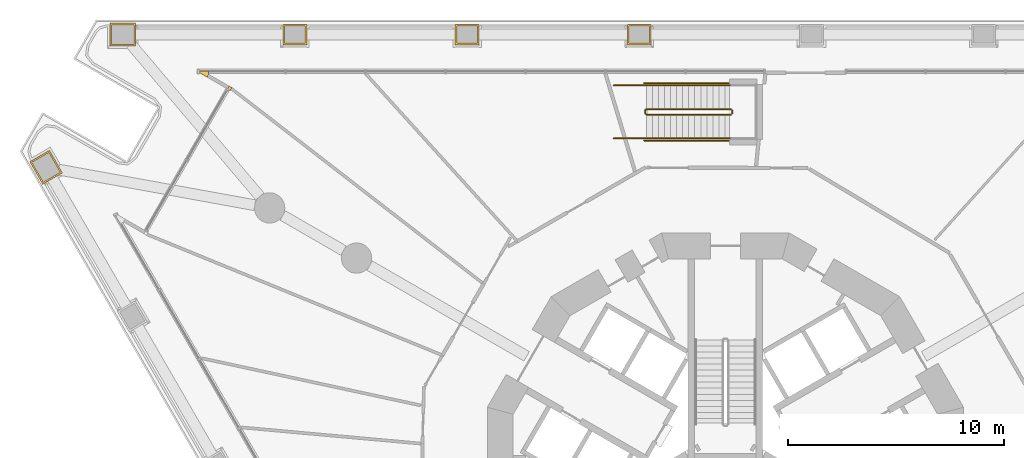
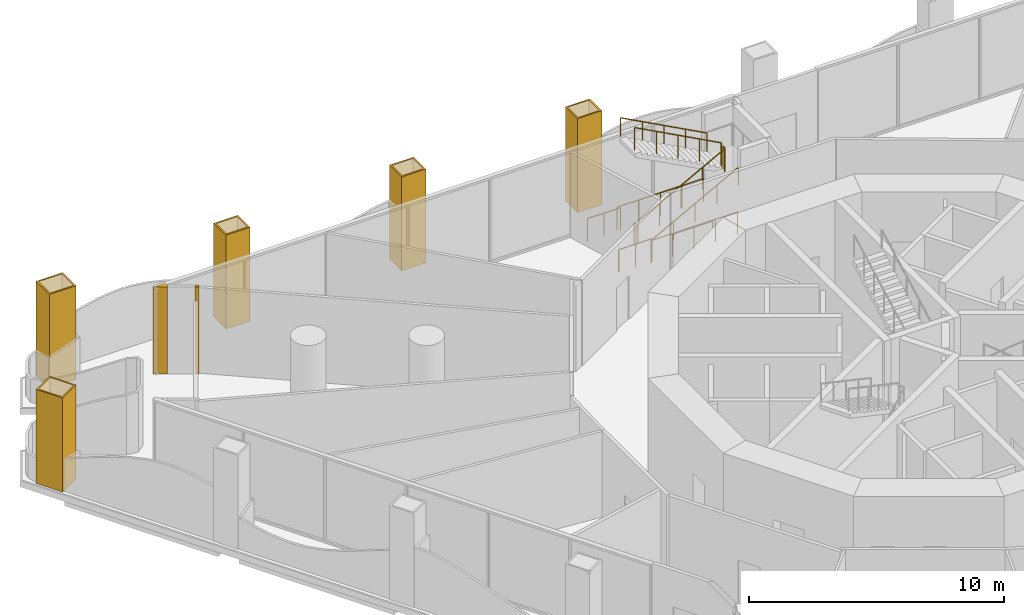
# One storey, part 20 of 22: 10 railings, 7 coverings.
"""IFC4 building model written with IfcOpenShell, lengths in metres."""

from ifc_helpers import new_model, si_unit, direction, frame, origin, origin_2d, place, context, subcontext, project, spatial, polyline, circle, outline, extrude, material, layer, layer_set, type_object, element, save


model = new_model("IFC4")

# Units and contexts
model_context = context("Model", 3, precision=1e-05, world=origin(), true_north=direction((0.0, 1.0)))
body_context = subcontext(model_context, "Body", "Model", "MODEL_VIEW")
ifc_project = project(units=[si_unit("LENGTHUNIT", "METRE"), si_unit("AREAUNIT", "SQUARE_METRE"), si_unit("VOLUMEUNIT", "CUBIC_METRE"), si_unit("PLANEANGLEUNIT", "RADIAN"), si_unit("MASSUNIT", "GRAM", prefix="KILO")], contexts=[model_context])

# Site, building, storey
site_placement = place(None, origin())
site = spatial("IfcSite", under=ifc_project, at=site_placement, CompositionType="ELEMENT")
building_placement = place(site_placement, origin())
building = spatial("IfcBuilding", under=site, at=building_placement, Name="Trine Commons Tower", CompositionType="ELEMENT")
storey_placement = place(building_placement, frame((0.0, 0.0, 22.5)))
storey = spatial("IfcBuildingStorey", under=building, at=storey_placement, Name="L04", CompositionType="ELEMENT", Elevation=22.5)

# Railings
ifc_material_1 = material(Name="Structural steel ASTM A500 Gr C", Category="steel")
railing_type_1 = type_object("IfcRailingType", Name="Glass and steel guard 1100 mm, ASTM A500 Gr C", PredefinedType="GUARDRAIL", material=ifc_material_1)
railing_1_placement = place(storey_placement, frame((76.340087890625, 78.985107421875, 0.14990234375)))
element("IfcRailing", 1, at=railing_1_placement, inside=storey, type_object=railing_type_1, Name="L04 PS1 stair guard 1", PredefinedType="GUARDRAIL", context=body_context, shape_type="SweptSolid", body=[
    extrude(circle(Radius=0.02392578125, at=origin_2d()), frame((0.0, 0.0, 1.076171875), z_axis=(0.881466911329, 0.0, 0.472245787945), x_axis=(0.0, 1.0, 0.0)), (0.0, 0.0, 1.0), 4.447021484375),
    extrude(circle(Radius=0.02099609375, at=origin_2d()), origin(), (0.0, 0.0, 1.0), 1.052001953125),
    extrude(circle(Radius=0.02099609375, at=origin_2d()), frame((0.97998046875, 0.0, 0.52490234375)), (0.0, 0.0, 1.0), 1.052001953125),
    extrude(circle(Radius=0.02099609375, at=origin_2d()), frame((1.9599609375, 0.0, 1.050048828125)), (0.0, 0.0, 1.0), 1.052001953125),
    extrude(circle(Radius=0.02099609375, at=origin_2d()), frame((2.93994140625, 0.0, 1.5751953125)), (0.0, 0.0, 1.0), 1.052001953125),
    extrude(circle(Radius=0.02099609375, at=origin_2d()), frame((3.919921875, 0.0, 2.10009765625)), (0.0, 0.0, 1.0), 1.052001953125),
])
railing_2_placement = place(storey_placement, frame((80.31005859375, 79.034912109375, 2.25)))
element("IfcRailing", 2, at=railing_2_placement, inside=storey, type_object=railing_type_1, Name="L04 PS1 stair guard 2", PredefinedType="GUARDRAIL", context=body_context, shape_type="SweptSolid", body=[
    extrude(circle(Radius=0.02392578125, at=origin_2d()), frame((0.0, 0.0, 1.076171875), z_axis=(0.0, 1.0, 0.0), x_axis=(-1.0, 0.0, 0.0)), (0.0, 0.0, 1.0), 0.150146484375),
    extrude(circle(Radius=0.02099609375, at=origin_2d()), origin(), (0.0, 0.0, 1.0), 1.052001953125),
    extrude(circle(Radius=0.02099609375, at=origin_2d()), frame((0.0, 0.150146484375, 0.0)), (0.0, 0.0, 1.0), 1.052001953125),
])
railing_3_placement = place(storey_placement, frame((80.260009765625, 79.235107421875, 2.39990234375)))
element("IfcRailing", 3, at=railing_3_placement, inside=storey, type_object=railing_type_1, Name="L04 PS1 stair guard 6", PredefinedType="GUARDRAIL", context=body_context, shape_type="SweptSolid", body=[
    extrude(circle(Radius=0.02392578125, at=origin_2d()), frame((0.0, 0.0, 1.076171875), z_axis=(-0.881466911329, 0.0, 0.472245787945), x_axis=(0.0, -1.0, 0.0)), (0.0, 0.0, 1.0), 4.447021484375),
    extrude(circle(Radius=0.02099609375, at=origin_2d()), origin(), (0.0, 0.0, 1.0), 1.052001953125),
    extrude(circle(Radius=0.02099609375, at=origin_2d()), frame((-0.97998046875, 0.0, 0.52490234375)), (0.0, 0.0, 1.0), 1.052001953125),
    extrude(circle(Radius=0.02099609375, at=origin_2d()), frame((-1.9599609375, 0.0, 1.050048828125)), (0.0, 0.0, 1.0), 1.052001953125),
    extrude(circle(Radius=0.02099609375, at=origin_2d()), frame((-2.93994140625, 0.0, 1.5751953125)), (0.0, 0.0, 1.0), 1.052001953125),
    extrude(circle(Radius=0.02099609375, at=origin_2d()), frame((-3.919921875, 0.0, 2.10009765625)), (0.0, 0.0, 1.0), 1.052001953125),
])
railing_4_placement = place(storey_placement, frame((76.2900390625, 79.034912109375, 0.0)))
element("IfcRailing", 4, at=railing_4_placement, inside=storey, type_object=railing_type_1, Name="L04 PS1 stair guard 7", PredefinedType="GUARDRAIL", context=body_context, shape_type="SweptSolid", body=[
    extrude(circle(Radius=0.02392578125, at=origin_2d()), frame((0.0, 0.0, 1.076171875), z_axis=(0.0, 1.0, 0.0), x_axis=(-1.0, 0.0, 0.0)), (0.0, 0.0, 1.0), 0.150146484375),
    extrude(circle(Radius=0.02099609375, at=origin_2d()), origin(), (0.0, 0.0, 1.0), 1.052001953125),
    extrude(circle(Radius=0.02099609375, at=origin_2d()), frame((0.0, 0.150146484375, 0.0)), (0.0, 0.0, 1.0), 1.052001953125),
])
for number, where, name in (
    (5, (74.840087890625, 77.885009765625, 0.0), "L04 PS1 stair guard 8"),
    (6, (74.840087890625, 80.3349609375, 0.0), "L04 PS1 stair guard 9"),
):
    element("IfcRailing", number, at=place(storey_placement, frame(where)), inside=storey, type_object=railing_type_1, Name=name, PredefinedType="GUARDRAIL", context=body_context, shape_type="SweptSolid", body=[
        extrude(circle(Radius=0.02392578125, at=origin_2d()), frame((0.0, 0.0, 1.076171875), z_axis=(1.0, 0.0, 0.0), x_axis=(0.0, 1.0, 0.0)), (0.0, 0.0, 1.0), 1.5),
        extrude(circle(Radius=0.02099609375, at=origin_2d()), origin(), (0.0, 0.0, 1.0), 1.052001953125),
        extrude(circle(Radius=0.02099609375, at=origin_2d()), frame((0.75, 0.0, 0.0)), (0.0, 0.0, 1.0), 1.052001953125),
        extrude(circle(Radius=0.02099609375, at=origin_2d()), frame((1.5, 0.0, 0.0)), (0.0, 0.0, 1.0), 1.052001953125),
    ])
for number, where, name in (
    (7, (76.239990234375, 77.784912109375, 0.0), "L04 PS1 stair guard 10"),
    (8, (76.239990234375, 80.43505859375, 0.0), "L04 PS1 stair guard 11"),
):
    element("IfcRailing", number, at=place(storey_placement, frame(where)), inside=storey, type_object=railing_type_1, Name=name, PredefinedType="GUARDRAIL", context=body_context, shape_type="SweptSolid", body=[
        extrude(circle(Radius=0.02392578125, at=origin_2d()), frame((0.0, 0.0, 1.076171875), z_axis=(1.0, 0.0, 0.0), x_axis=(0.0, 1.0, 0.0)), (0.0, 0.0, 1.0), 3.909912109375),
        extrude(circle(Radius=0.02099609375, at=origin_2d()), origin(), (0.0, 0.0, 1.0), 1.052001953125),
        extrude(circle(Radius=0.02099609375, at=origin_2d()), frame((0.9775390625, 0.0, 0.0)), (0.0, 0.0, 1.0), 1.052001953125),
        extrude(circle(Radius=0.02099609375, at=origin_2d()), frame((1.955078125, 0.0, 0.0)), (0.0, 0.0, 1.0), 1.052001953125),
        extrude(circle(Radius=0.02099609375, at=origin_2d()), frame((2.932373046875, 0.0, 0.0)), (0.0, 0.0, 1.0), 1.052001953125),
        extrude(circle(Radius=0.02099609375, at=origin_2d()), frame((3.909912109375, 0.0, 0.0)), (0.0, 0.0, 1.0), 1.052001953125),
    ])

# Coverings
ifc_material_2 = material(Name="Aluminium-framed insulated wall panel", Category="aluminium")
ifc_layer_1 = layer(ifc_material_2, 0.14990234375)
ifc_layer_set_1 = layer_set([ifc_layer_1], Name="Aluminium-framed insulated wall panel")
covering_type_1 = type_object("IfcCoveringType", Name="Glazing corner post, aluminium", PredefinedType="CLADDING", material=ifc_layer_set_1)
covering_1_placement = place(storey_placement, origin())
element("IfcCovering", 9, at=covering_1_placement, inside=storey, type_object=covering_type_1, Name="Glazing corner post 1-03", PredefinedType="CLADDING", context=body_context, shape_type="SweptSolid", body=[
    extrude(outline(polyline([(57.101318359375, 80.0966796875), (57.176513671875, 80.226806640625), (57.04638671875, 80.3017578125), (56.971435546875, 80.171875), (57.101318359375, 80.0966796875)])), origin(), (0.0, 0.0, 1.0), 4.14990234375),
])
covering_2_placement = place(storey_placement, origin())
element("IfcCovering", 10, at=covering_2_placement, inside=storey, type_object=covering_type_1, Name="Glazing corner post 1-04", PredefinedType="CLADDING", context=body_context, shape_type="SweptSolid", body=[
    extrude(outline(polyline([(56.03125, 80.714599609375), (56.106201171875, 80.844482421875), (56.106201171875, 80.99462890625), (55.54638671875, 80.99462890625), (56.03125, 80.714599609375)])), origin(), (0.0, 0.0, 1.0), 4.14990234375),
])
ifc_material_3 = material(Name="Limestone, honed", Category="masonry")
ifc_layer_2 = layer(ifc_material_3, 0.074951171875)
ifc_layer_set_2 = layer_set([ifc_layer_2], Name="Limestone, honed")
covering_type_2 = type_object("IfcCoveringType", Name="Limestone column cladding 75", PredefinedType="CLADDING", material=ifc_layer_set_2)
covering_3_placement = place(storey_placement, origin())
element("IfcCovering", 11, at=covering_3_placement, inside=storey, type_object=covering_type_2, Name="Limestone pier cladding 1-08", PredefinedType="CLADDING", context=body_context, shape_type="SweptSolid", body=[
    extrude(outline(polyline([(48.73828125, 77.327392578125), (47.8291015625, 76.802490234375), (48.428955078125, 75.76318359375), (49.33837890625, 76.288330078125), (48.73828125, 77.327392578125)]), holes=[polyline([(48.7109375, 77.22509765625), (47.931396484375, 76.775146484375), (48.45654296875, 75.86572265625), (49.23583984375, 76.315673828125), (48.7109375, 77.22509765625)])]), origin(), (0.0, 0.0, 1.0), 4.5),
])
covering_4_placement = place(storey_placement, origin())
element("IfcCovering", 12, at=covering_4_placement, inside=storey, type_object=covering_type_2, Name="Limestone pier cladding 1-09", PredefinedType="CLADDING", context=body_context, shape_type="SweptSolid", body=[
    extrude(outline(polyline([(52.728271484375, 82.15966796875), (52.728271484375, 83.209716796875), (51.5283203125, 83.209716796875), (51.5283203125, 82.15966796875), (52.728271484375, 82.15966796875)]), holes=[polyline([(52.6533203125, 82.234619140625), (52.6533203125, 83.134521484375), (51.603271484375, 83.134521484375), (51.603271484375, 82.234619140625), (52.6533203125, 82.234619140625)])]), origin(), (0.0, 0.0, 1.0), 4.5),
])
covering_5_placement = place(storey_placement, origin())
element("IfcCovering", 13, at=covering_5_placement, inside=storey, type_object=covering_type_2, Name="Limestone pier cladding 1-10", PredefinedType="CLADDING", context=body_context, shape_type="SweptSolid", body=[
    extrude(outline(polyline([(60.6416015625, 82.209716796875), (60.6416015625, 83.15966796875), (59.54150390625, 83.15966796875), (59.54150390625, 82.209716796875), (60.6416015625, 82.209716796875)]), holes=[polyline([(60.566650390625, 82.28466796875), (60.566650390625, 83.084716796875), (59.61669921875, 83.084716796875), (59.61669921875, 82.28466796875), (60.566650390625, 82.28466796875)])]), origin(), (0.0, 0.0, 1.0), 4.5),
])
covering_6_placement = place(storey_placement, origin())
element("IfcCovering", 14, at=covering_6_placement, inside=storey, type_object=covering_type_2, Name="Limestone pier cladding 1-11", PredefinedType="CLADDING", context=body_context, shape_type="SweptSolid", body=[
    extrude(outline(polyline([(68.60498046875, 82.209716796875), (68.60498046875, 83.15966796875), (67.5048828125, 83.15966796875), (67.5048828125, 82.209716796875), (68.60498046875, 82.209716796875)]), holes=[polyline([(68.52978515625, 82.28466796875), (68.52978515625, 83.084716796875), (67.579833984375, 83.084716796875), (67.579833984375, 82.28466796875), (68.52978515625, 82.28466796875)])]), origin(), (0.0, 0.0, 1.0), 4.5),
])
covering_7_placement = place(storey_placement, origin())
element("IfcCovering", 15, at=covering_7_placement, inside=storey, type_object=covering_type_2, Name="Limestone pier cladding 1-12", PredefinedType="CLADDING", context=body_context, shape_type="SweptSolid", body=[
    extrude(outline(polyline([(76.568359375, 82.209716796875), (76.568359375, 83.15966796875), (75.46826171875, 83.15966796875), (75.46826171875, 82.209716796875), (76.568359375, 82.209716796875)]), holes=[polyline([(76.493408203125, 82.28466796875), (76.493408203125, 83.084716796875), (75.543212890625, 83.084716796875), (75.543212890625, 82.28466796875), (76.493408203125, 82.28466796875)])]), origin(), (0.0, 0.0, 1.0), 4.5),
])

# Railings
railing_type_2 = type_object("IfcRailingType", Name="Podium stair handrail 900 mm, ASTM A500 Gr C", PredefinedType="HANDRAIL", material=ifc_material_1)
railing_5_placement = place(storey_placement, frame((76.340087890625, 77.885009765625, 0.14990234375)))
element("IfcRailing", 16, at=railing_5_placement, inside=storey, type_object=railing_type_2, Name="L04 PS1 stair handrail 1", PredefinedType="HANDRAIL", context=body_context, shape_type="SweptSolid", body=[
    extrude(circle(Radius=0.02392578125, at=origin_2d()), frame((0.0, 0.0, 0.8759765625), z_axis=(0.881466911329, 0.0, 0.472245787945), x_axis=(0.0, 1.0, 0.0)), (0.0, 0.0, 1.0), 4.447021484375),
    extrude(circle(Radius=0.02099609375, at=origin_2d()), origin(), (0.0, 0.0, 1.0), 0.851806640625),
    extrude(circle(Radius=0.02099609375, at=origin_2d()), frame((0.97998046875, 0.0, 0.52490234375)), (0.0, 0.0, 1.0), 0.851806640625),
    extrude(circle(Radius=0.02099609375, at=origin_2d()), frame((1.9599609375, 0.0, 1.050048828125)), (0.0, 0.0, 1.0), 0.851806640625),
    extrude(circle(Radius=0.02099609375, at=origin_2d()), frame((2.93994140625, 0.0, 1.5751953125)), (0.0, 0.0, 1.0), 0.851806640625),
    extrude(circle(Radius=0.02099609375, at=origin_2d()), frame((3.919921875, 0.0, 2.10009765625)), (0.0, 0.0, 1.0), 0.851806640625),
])
railing_6_placement = place(storey_placement, frame((80.260009765625, 80.3349609375, 2.39990234375)))
element("IfcRailing", 17, at=railing_6_placement, inside=storey, type_object=railing_type_2, Name="L04 PS1 stair handrail 2", PredefinedType="HANDRAIL", context=body_context, shape_type="SweptSolid", body=[
    extrude(circle(Radius=0.02392578125, at=origin_2d()), frame((0.0, 0.0, 0.8759765625), z_axis=(-0.881466911329, 0.0, 0.472245787945), x_axis=(0.0, -1.0, 0.0)), (0.0, 0.0, 1.0), 4.447021484375),
    extrude(circle(Radius=0.02099609375, at=origin_2d()), origin(), (0.0, 0.0, 1.0), 0.851806640625),
    extrude(circle(Radius=0.02099609375, at=origin_2d()), frame((-0.97998046875, 0.0, 0.52490234375)), (0.0, 0.0, 1.0), 0.851806640625),
    extrude(circle(Radius=0.02099609375, at=origin_2d()), frame((-1.9599609375, 0.0, 1.050048828125)), (0.0, 0.0, 1.0), 0.851806640625),
    extrude(circle(Radius=0.02099609375, at=origin_2d()), frame((-2.93994140625, 0.0, 1.5751953125)), (0.0, 0.0, 1.0), 0.851806640625),
    extrude(circle(Radius=0.02099609375, at=origin_2d()), frame((-3.919921875, 0.0, 2.10009765625)), (0.0, 0.0, 1.0), 0.851806640625),
])

save(model, "model.ifc")
